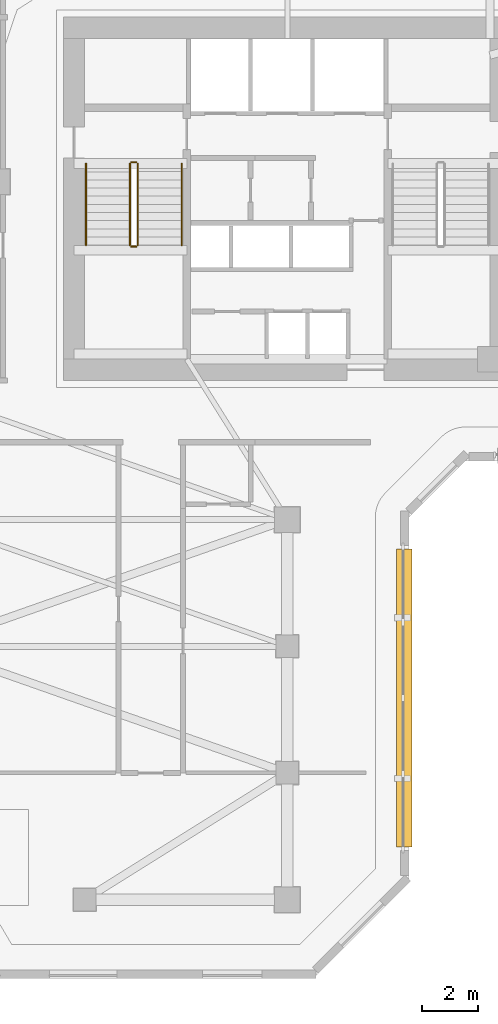
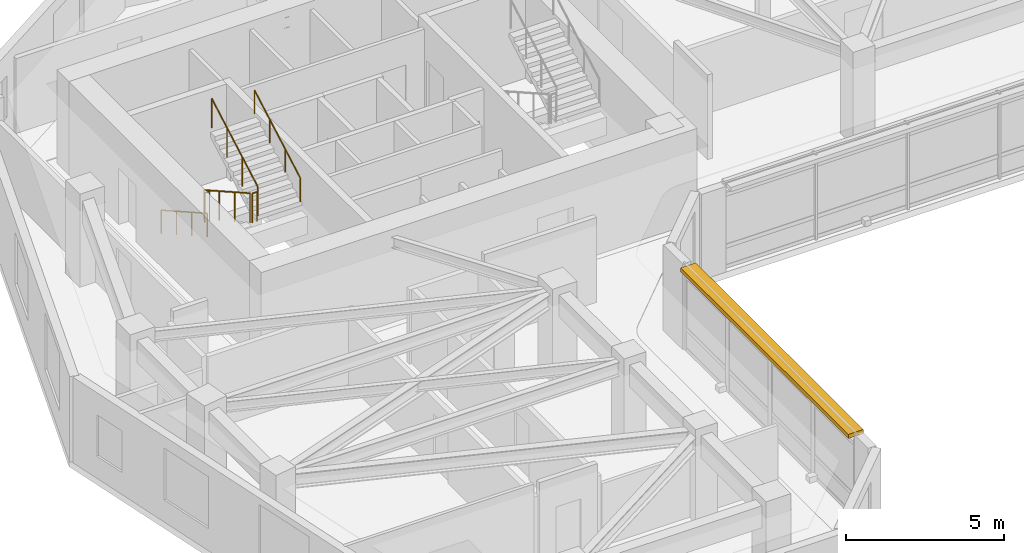
# One storey, part 8 of 10: 6 railings, 1 shading device.
"""IFC4 building model written with IfcOpenShell, lengths in metres."""

from ifc_helpers import new_model, si_unit, direction, frame, frame_2d, origin, origin_2d, place, context, subcontext, project, spatial, rectangle, circle, extrude, material, type_object, element, save


model = new_model("IFC4")

# Units and contexts
model_context = context("Model", 3, precision=1e-05, world=origin(), true_north=direction((0.0, 1.0)))
body_context = subcontext(model_context, "Body", "Model", "MODEL_VIEW")
ifc_project = project(units=[si_unit("LENGTHUNIT", "METRE"), si_unit("AREAUNIT", "SQUARE_METRE"), si_unit("VOLUMEUNIT", "CUBIC_METRE"), si_unit("PLANEANGLEUNIT", "RADIAN"), si_unit("MASSUNIT", "GRAM", prefix="KILO")], contexts=[model_context])

# Site, building, storey
site_placement = place(None, origin())
site = spatial("IfcSite", under=ifc_project, at=site_placement, CompositionType="ELEMENT")
building_placement = place(site_placement, origin())
building = spatial("IfcBuilding", under=site, at=building_placement, Name="Calvemar Wedge Station Tower", CompositionType="ELEMENT")
storey_placement = place(building_placement, frame((0.0, 0.0, 168.199951171875)))
storey = spatial("IfcBuildingStorey", under=building, at=storey_placement, Name="L42", CompositionType="ELEMENT", Elevation=168.199951171875)

# Railings
ifc_material_1 = material(Name="Stainless steel AISI 316L", Category="steel")
railing_type_1 = type_object("IfcRailingType", Name="RL-HANDRAIL-920", PredefinedType="HANDRAIL", material=ifc_material_1)
railing_1_placement = place(storey_placement, frame((16.64990234375, 41.14990234375, 0.16357421875)))
element("IfcRailing", 1, at=railing_1_placement, inside=storey, type_object=railing_type_1, Name="L42 ST-C1 stair handrail 1", PredefinedType="HANDRAIL", context=body_context, shape_type="SweptSolid", body=[
    extrude(circle(Radius=0.02392578125, at=origin_2d()), frame((0.0, 0.0, 0.89599609375), z_axis=(0.0, -0.870897200241, 0.491465224214), x_axis=(1.0, 0.0, 0.0)), (0.0, 0.0, 1.0), 3.329833984375),
    extrude(circle(Radius=0.02099609375, at=origin_2d()), origin(), (0.0, 0.0, 1.0), 0.871826171875),
    extrude(circle(Radius=0.02099609375, at=origin_2d()), frame((0.0, -0.966552734375, 0.54541015625)), (0.0, 0.0, 1.0), 0.871826171875),
    extrude(circle(Radius=0.02099609375, at=origin_2d()), frame((0.0, -1.933349609375, 1.091064453125)), (0.0, 0.0, 1.0), 0.871826171875),
    extrude(circle(Radius=0.02099609375, at=origin_2d()), frame((0.0, -2.89990234375, 1.636474609375)), (0.0, 0.0, 1.0), 0.871826171875),
])
railing_2_placement = place(storey_placement, frame((20.050048828125, 38.25, 1.963623046875)))
element("IfcRailing", 2, at=railing_2_placement, inside=storey, type_object=railing_type_1, Name="L42 ST-C1 stair handrail 2", PredefinedType="HANDRAIL", context=body_context, shape_type="SweptSolid", body=[
    extrude(circle(Radius=0.02392578125, at=origin_2d()), frame((0.0, 0.0, 0.89599609375), z_axis=(0.0, 0.870897200241, 0.491465224214), x_axis=(-1.0, 0.0, 0.0)), (0.0, 0.0, 1.0), 3.329833984375),
    extrude(circle(Radius=0.02099609375, at=origin_2d()), origin(), (0.0, 0.0, 1.0), 0.871826171875),
    extrude(circle(Radius=0.02099609375, at=origin_2d()), frame((0.0, 0.966552734375, 0.54541015625)), (0.0, 0.0, 1.0), 0.871826171875),
    extrude(circle(Radius=0.02099609375, at=origin_2d()), frame((0.0, 1.933349609375, 1.091064453125)), (0.0, 0.0, 1.0), 0.871826171875),
    extrude(circle(Radius=0.02099609375, at=origin_2d()), frame((0.0, 2.89990234375, 1.636474609375)), (0.0, 0.0, 1.0), 0.871826171875),
])
ifc_material_2 = material(Name="Painted steel guardrail ASTM A500 Grade C", Category="steel")
railing_type_2 = type_object("IfcRailingType", Name="RL-STAIR-GUARD-1150", PredefinedType="GUARDRAIL", material=ifc_material_2)
railing_3_placement = place(storey_placement, frame((18.2099609375, 41.14990234375, 0.16357421875)))
element("IfcRailing", 3, at=railing_3_placement, inside=storey, type_object=railing_type_2, Name="L42 ST-C1 stair guard 1", PredefinedType="GUARDRAIL", context=body_context, shape_type="SweptSolid", body=[
    extrude(circle(Radius=0.02392578125, at=origin_2d()), frame((0.0, 0.0, 1.1259765625), z_axis=(0.0, -0.870897200241, 0.491465224214), x_axis=(1.0, 0.0, 0.0)), (0.0, 0.0, 1.0), 3.329833984375),
    extrude(circle(Radius=0.02099609375, at=origin_2d()), origin(), (0.0, 0.0, 1.0), 1.101806640625),
    extrude(circle(Radius=0.02099609375, at=origin_2d()), frame((0.0, -0.966552734375, 0.54541015625)), (0.0, 0.0, 1.0), 1.101806640625),
    extrude(circle(Radius=0.02099609375, at=origin_2d()), frame((0.0, -1.933349609375, 1.091064453125)), (0.0, 0.0, 1.0), 1.101806640625),
    extrude(circle(Radius=0.02099609375, at=origin_2d()), frame((0.0, -2.89990234375, 1.636474609375)), (0.0, 0.0, 1.0), 1.101806640625),
])
railing_4_placement = place(storey_placement, frame((18.260009765625, 38.199951171875, 1.800048828125)))
element("IfcRailing", 4, at=railing_4_placement, inside=storey, type_object=railing_type_2, Name="L42 ST-C1 stair guard 2", PredefinedType="GUARDRAIL", context=body_context, shape_type="SweptSolid", body=[
    extrude(circle(Radius=0.02392578125, at=origin_2d()), frame((0.0, 0.0, 1.1259765625), z_axis=(1.0, 0.0, 0.0), x_axis=(0.0, 1.0, 0.0)), (0.0, 0.0, 1.0), 0.179931640625),
    extrude(circle(Radius=0.02099609375, at=origin_2d()), origin(), (0.0, 0.0, 1.0), 1.101806640625),
    extrude(circle(Radius=0.02099609375, at=origin_2d()), frame((0.179931640625, 0.0, 0.0)), (0.0, 0.0, 1.0), 1.101806640625),
])
railing_5_placement = place(storey_placement, frame((18.489990234375, 38.25, 1.963623046875)))
element("IfcRailing", 5, at=railing_5_placement, inside=storey, type_object=railing_type_2, Name="L42 ST-C1 stair guard 3", PredefinedType="GUARDRAIL", context=body_context, shape_type="SweptSolid", body=[
    extrude(circle(Radius=0.02392578125, at=origin_2d()), frame((0.0, 0.0, 1.1259765625), z_axis=(0.0, 0.870897200241, 0.491465224214), x_axis=(-1.0, 0.0, 0.0)), (0.0, 0.0, 1.0), 3.329833984375),
    extrude(circle(Radius=0.02099609375, at=origin_2d()), origin(), (0.0, 0.0, 1.0), 1.101806640625),
    extrude(circle(Radius=0.02099609375, at=origin_2d()), frame((0.0, 0.966552734375, 0.54541015625)), (0.0, 0.0, 1.0), 1.101806640625),
    extrude(circle(Radius=0.02099609375, at=origin_2d()), frame((0.0, 1.933349609375, 1.091064453125)), (0.0, 0.0, 1.0), 1.101806640625),
    extrude(circle(Radius=0.02099609375, at=origin_2d()), frame((0.0, 2.89990234375, 1.636474609375)), (0.0, 0.0, 1.0), 1.101806640625),
])
railing_6_placement = place(storey_placement, frame((18.260009765625, 41.199951171875, 0.0)))
element("IfcRailing", 6, at=railing_6_placement, inside=storey, type_object=railing_type_2, Name="L42 ST-C1 stair guard 4", PredefinedType="GUARDRAIL", context=body_context, shape_type="SweptSolid", body=[
    extrude(circle(Radius=0.02392578125, at=origin_2d()), frame((0.0, 0.0, 1.1259765625), z_axis=(1.0, 0.0, 0.0), x_axis=(0.0, 1.0, 0.0)), (0.0, 0.0, 1.0), 0.179931640625),
    extrude(circle(Radius=0.02099609375, at=origin_2d()), origin(), (0.0, 0.0, 1.0), 1.101806640625),
    extrude(circle(Radius=0.02099609375, at=origin_2d()), frame((0.179931640625, 0.0, 0.0)), (0.0, 0.0, 1.0), 1.101806640625),
])

# Shading device
ifc_material_3 = material(Name="Precast concrete C45", Category="concrete")
shading_device_type = type_object("IfcShadingDeviceType", Name="SHD-EYEBROW-1", PredefinedType="SHUTTER", material=ifc_material_3)
shading_device_placement = place(storey_placement, frame((27.9580078125, 16.862060546875, 3.1201171875), z_axis=(0.0, 0.0, 1.0), x_axis=(0.0, 1.0, 0.0)))
element("IfcShadingDevice", 7, at=shading_device_placement, inside=storey, type_object=shading_device_type, Name="Storey L42 Bronze GFRC Solar Eyebrow 4", PredefinedType="SHUTTER", context=body_context, shape_type="SweptSolid", body=[
    extrude(rectangle(XDim=10.592041015625, YDim=0.550048828125, at=frame_2d((5.2958984375, 0.0))), origin(), (0.0, 0.0, 1.0), 0.159912109375),
])

save(model, "model.ifc")
